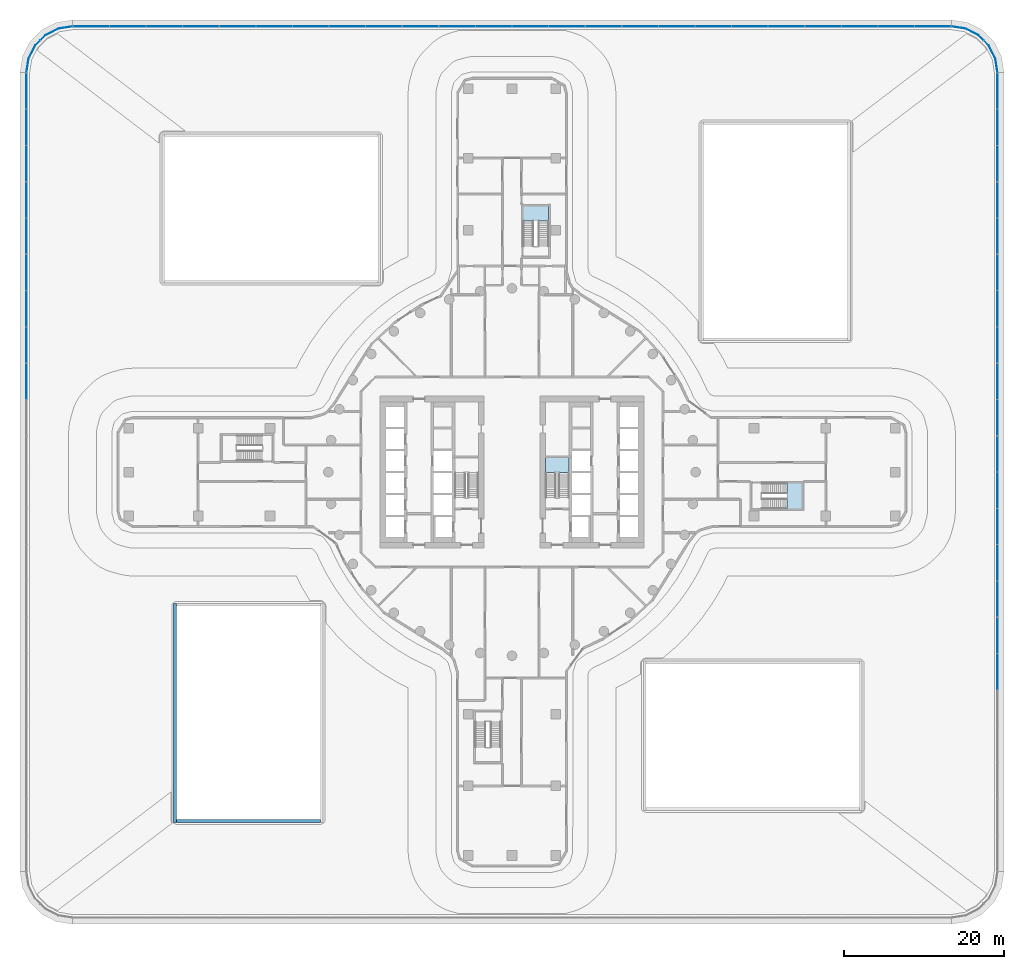
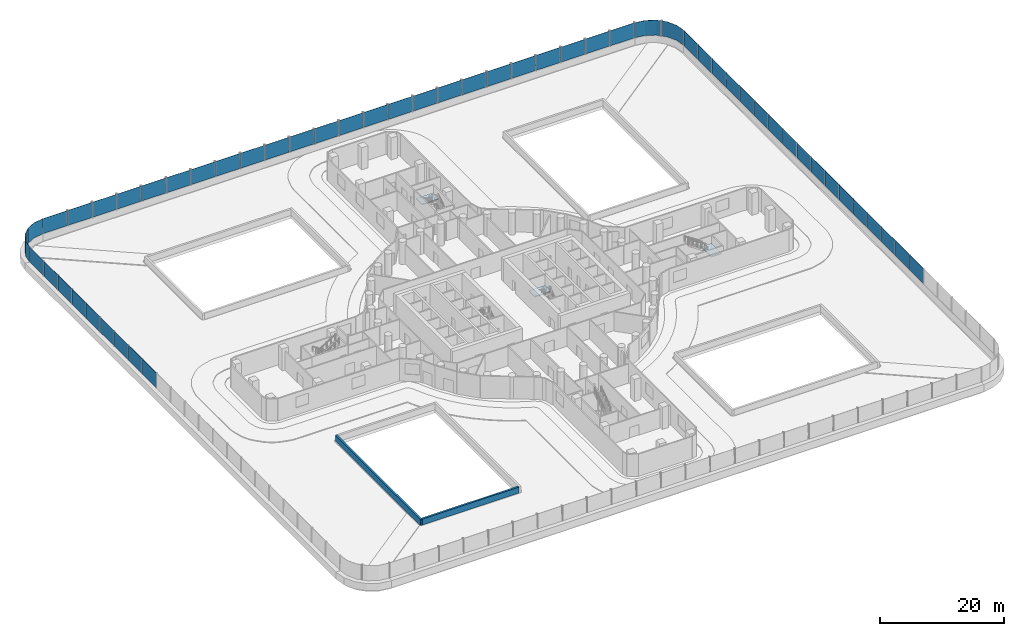
# One storey, part 21 of 37: 54 plates, 3 slabs, 2 walls, 8 elements without a shape of their own.
"""IFC4 building model written with IfcOpenShell, lengths in metres."""

from ifc_helpers import new_model, si_unit, direction, frame, frame_2d, origin, place, context, subcontext, project, spatial, polyline, rectangle, outline, extrude, material, layer, layer_set, type_object, element, aggregate, save


model = new_model("IFC4")

# Units and contexts
model_context = context("Model", 3, precision=1e-05, world=origin(), true_north=direction((0.0, 1.0)))
body_context = subcontext(model_context, "Body", "Model", "MODEL_VIEW")
ifc_project = project(units=[si_unit("LENGTHUNIT", "METRE"), si_unit("AREAUNIT", "SQUARE_METRE"), si_unit("VOLUMEUNIT", "CUBIC_METRE"), si_unit("PLANEANGLEUNIT", "RADIAN"), si_unit("MASSUNIT", "GRAM", prefix="KILO")], contexts=[model_context])

# Site, building, storey
site_placement = place(None, origin())
site = spatial("IfcSite", under=ifc_project, at=site_placement, CompositionType="ELEMENT")
building_placement = place(site_placement, origin())
building = spatial("IfcBuilding", under=site, at=building_placement, Name="Tamarind Cross Interchange Tower", CompositionType="ELEMENT")
storey_placement = place(building_placement, frame((0.0, 0.0, 29.5)))
storey = spatial("IfcBuildingStorey", under=building, at=storey_placement, Name="L05", CompositionType="ELEMENT", Elevation=29.5)

# Stair, slab
ifc_material_1 = material(Name="Exit stair")
stair_type = type_object("IfcStairType", Name="Exit stair", PredefinedType="HALF_TURN_STAIR", material=ifc_material_1)
stair_1_placement = place(storey_placement, origin())
stair_1 = element("IfcStair", 1, at=stair_1_placement, inside=storey, type_object=stair_type, Name="L05 exit stair ST2", PredefinedType="HALF_TURN_STAIR")
ifc_material_2 = material(Name="Concrete C40", Category="concrete")
ifc_layer_1 = layer(ifc_material_2, 0.199951171875)
ifc_layer_set_1 = layer_set([ifc_layer_1], Name="Concrete C40")
slab_type = type_object("IfcSlabType", Name="Stair landing", PredefinedType="LANDING", material=ifc_layer_set_1)
slab_1_placement = place(storey_placement, frame((0.0, 0.0, 2.050048828125)))
slab_1 = element("IfcSlab", 2, at=slab_1_placement, type_object=slab_type, Name="ST2 landing 1", PredefinedType="LANDING", context=body_context, shape_type="SweptSolid", body=[
    extrude(outline(polyline([(7.14990234375, -0.080078125), (7.14990234375, 1.800048828125), (4.199951171875, 1.800048828125), (4.199951171875, -0.080078125), (7.14990234375, -0.080078125)])), origin(), (0.0, 0.0, 1.0), 0.199951171875),
])
aggregate(stair_1, [slab_1])

stair_2_placement = place(storey_placement, origin())
stair_2 = element("IfcStair", 3, at=stair_2_placement, inside=storey, type_object=stair_type, Name="L05 exit stair ST3", PredefinedType="HALF_TURN_STAIR")
slab_2_placement = place(storey_placement, frame((0.0, 0.0, 2.050048828125)))
slab_2 = element("IfcSlab", 4, at=slab_2_placement, type_object=slab_type, Name="ST3 landing 1", PredefinedType="LANDING", context=body_context, shape_type="SweptSolid", body=[
    extrude(outline(polyline([(34.407958984375, -4.60009765625), (36.300048828125, -4.60009765625), (36.300048828125, -1.39990234375), (34.407958984375, -1.39990234375), (34.407958984375, -4.60009765625)])), origin(), (0.0, 0.0, 1.0), 0.199951171875),
])
aggregate(stair_2, [slab_2])

stair_3_placement = place(storey_placement, origin())
stair_3 = element("IfcStair", 5, at=stair_3_placement, inside=storey, type_object=stair_type, Name="L05 exit stair ST4", PredefinedType="HALF_TURN_STAIR")
slab_3_placement = place(storey_placement, frame((0.0, 0.0, 2.050048828125)))
slab_3 = element("IfcSlab", 6, at=slab_3_placement, type_object=slab_type, Name="ST4 landing 1", PredefinedType="LANDING", context=body_context, shape_type="SweptSolid", body=[
    extrude(outline(polyline([(4.60009765625, 31.407958984375), (4.60009765625, 33.300048828125), (1.39990234375, 33.300048828125), (1.39990234375, 31.407958984375), (4.60009765625, 31.407958984375)])), origin(), (0.0, 0.0, 1.0), 0.199951171875),
])
aggregate(stair_3, [slab_3])

# Curtain wall, plates
ifc_material_3 = material(Name="Aluminium 6063-T6", Category="aluminium")
ifc_layer_2 = layer(ifc_material_3, 0.179931640625)
ifc_layer_set_2 = layer_set([ifc_layer_2], Name="Aluminium 6063-T6")
curtain_wall_type = type_object("IfcCurtainWallType", Name="Sky lobby curtain wall, fire-resisting glazing", PredefinedType="NOTDEFINED", material=ifc_layer_set_2)
curtain_wall_1_placement = place(storey_placement, origin())
curtain_wall_1 = element("IfcCurtainWall", 7, at=curtain_wall_1_placement, inside=storey, type_object=curtain_wall_type, Name="CWS-L05-00", PredefinedType="NOTDEFINED")
ifc_material_4 = material(Name="Fire-resisting glass EI 60", Category="glass")
ifc_layer_3 = layer(ifc_material_4, 0.035888671875)
ifc_layer_set_3 = layer_set([ifc_layer_3], Name="Fire-resisting glass EI 60")
plate_type = type_object("IfcPlateType", Name="Vision panel CW4", PredefinedType="CURTAIN_PANEL", material=ifc_layer_set_3)
plate_1_placement = place(storey_placement, frame((0.0, 0.0, 1.39990234375)))
plate_1 = element("IfcPlate", 8, at=plate_1_placement, type_object=plate_type, Name="CWP-L05-00-05", PredefinedType="CURTAIN_PANEL", context=body_context, shape_type="SweptSolid", body=[
    extrude(outline(polyline([(60.781982421875, -27.22412109375), (60.781982421875, -22.760009765625), (60.818115234375, -22.760009765625), (60.818115234375, -27.22412109375), (60.781982421875, -27.22412109375)])), origin(), (0.0, 0.0, 1.0), 2.960205078125),
])
plate_2_placement = place(storey_placement, frame((0.0, 0.0, 1.39990234375)))
plate_2 = element("IfcPlate", 9, at=plate_2_placement, type_object=plate_type, Name="CWP-L05-00-06", PredefinedType="CURTAIN_PANEL", context=body_context, shape_type="SweptSolid", body=[
    extrude(outline(polyline([(60.781982421875, -22.68017578125), (60.781982421875, -18.216064453125), (60.818115234375, -18.216064453125), (60.818115234375, -22.68017578125), (60.781982421875, -22.68017578125)])), origin(), (0.0, 0.0, 1.0), 2.960205078125),
])
plate_3_placement = place(storey_placement, frame((0.0, 0.0, 1.39990234375)))
plate_3 = element("IfcPlate", 10, at=plate_3_placement, type_object=plate_type, Name="CWP-L05-00-07", PredefinedType="CURTAIN_PANEL", context=body_context, shape_type="SweptSolid", body=[
    extrude(outline(polyline([(60.781982421875, -18.135986328125), (60.781982421875, -13.672119140625), (60.818115234375, -13.672119140625), (60.818115234375, -18.135986328125), (60.781982421875, -18.135986328125)])), origin(), (0.0, 0.0, 1.0), 2.960205078125),
])
plate_4_placement = place(storey_placement, frame((0.0, 0.0, 1.39990234375)))
plate_4 = element("IfcPlate", 11, at=plate_4_placement, type_object=plate_type, Name="CWP-L05-00-08", PredefinedType="CURTAIN_PANEL", context=body_context, shape_type="SweptSolid", body=[
    extrude(outline(polyline([(60.781982421875, -13.592041015625), (60.781982421875, -9.1279296875), (60.818115234375, -9.1279296875), (60.818115234375, -13.592041015625), (60.781982421875, -13.592041015625)])), origin(), (0.0, 0.0, 1.0), 2.960205078125),
])
plate_5_placement = place(storey_placement, frame((0.0, 0.0, 1.39990234375)))
plate_5 = element("IfcPlate", 12, at=plate_5_placement, type_object=plate_type, Name="CWP-L05-00-09", PredefinedType="CURTAIN_PANEL", context=body_context, shape_type="SweptSolid", body=[
    extrude(outline(polyline([(60.781982421875, -9.048095703125), (60.781982421875, -4.583984375), (60.818115234375, -4.583984375), (60.818115234375, -9.048095703125), (60.781982421875, -9.048095703125)])), origin(), (0.0, 0.0, 1.0), 2.960205078125),
])
plate_6_placement = place(storey_placement, frame((0.0, 0.0, 1.39990234375)))
plate_6 = element("IfcPlate", 13, at=plate_6_placement, type_object=plate_type, Name="CWP-L05-00-10", PredefinedType="CURTAIN_PANEL", context=body_context, shape_type="SweptSolid", body=[
    extrude(outline(polyline([(60.781982421875, -4.50390625), (60.781982421875, -0.0400390625), (60.818115234375, -0.0400390625), (60.818115234375, -4.50390625), (60.781982421875, -4.50390625)])), origin(), (0.0, 0.0, 1.0), 2.960205078125),
])
plate_7_placement = place(storey_placement, frame((0.0, 0.0, 1.39990234375)))
plate_7 = element("IfcPlate", 14, at=plate_7_placement, type_object=plate_type, Name="CWP-L05-00-11", PredefinedType="CURTAIN_PANEL", context=body_context, shape_type="SweptSolid", body=[
    extrude(outline(polyline([(60.781982421875, 0.0400390625), (60.781982421875, 4.50390625), (60.818115234375, 4.50390625), (60.818115234375, 0.0400390625), (60.781982421875, 0.0400390625)])), origin(), (0.0, 0.0, 1.0), 2.960205078125),
])
plate_8_placement = place(storey_placement, frame((0.0, 0.0, 1.39990234375)))
plate_8 = element("IfcPlate", 15, at=plate_8_placement, type_object=plate_type, Name="CWP-L05-00-12", PredefinedType="CURTAIN_PANEL", context=body_context, shape_type="SweptSolid", body=[
    extrude(outline(polyline([(60.781982421875, 4.583984375), (60.781982421875, 9.048095703125), (60.818115234375, 9.048095703125), (60.818115234375, 4.583984375), (60.781982421875, 4.583984375)])), origin(), (0.0, 0.0, 1.0), 2.960205078125),
])
plate_9_placement = place(storey_placement, frame((0.0, 0.0, 1.39990234375)))
plate_9 = element("IfcPlate", 16, at=plate_9_placement, type_object=plate_type, Name="CWP-L05-00-13", PredefinedType="CURTAIN_PANEL", context=body_context, shape_type="SweptSolid", body=[
    extrude(outline(polyline([(60.781982421875, 9.1279296875), (60.781982421875, 13.592041015625), (60.818115234375, 13.592041015625), (60.818115234375, 9.1279296875), (60.781982421875, 9.1279296875)])), origin(), (0.0, 0.0, 1.0), 2.960205078125),
])
plate_10_placement = place(storey_placement, frame((0.0, 0.0, 1.39990234375)))
plate_10 = element("IfcPlate", 17, at=plate_10_placement, type_object=plate_type, Name="CWP-L05-00-14", PredefinedType="CURTAIN_PANEL", context=body_context, shape_type="SweptSolid", body=[
    extrude(outline(polyline([(60.781982421875, 13.672119140625), (60.781982421875, 18.135986328125), (60.818115234375, 18.135986328125), (60.818115234375, 13.672119140625), (60.781982421875, 13.672119140625)])), origin(), (0.0, 0.0, 1.0), 2.960205078125),
])
plate_11_placement = place(storey_placement, frame((0.0, 0.0, 1.39990234375)))
plate_11 = element("IfcPlate", 18, at=plate_11_placement, type_object=plate_type, Name="CWP-L05-00-15", PredefinedType="CURTAIN_PANEL", context=body_context, shape_type="SweptSolid", body=[
    extrude(outline(polyline([(60.781982421875, 18.216064453125), (60.781982421875, 22.68017578125), (60.818115234375, 22.68017578125), (60.818115234375, 18.216064453125), (60.781982421875, 18.216064453125)])), origin(), (0.0, 0.0, 1.0), 2.960205078125),
])
plate_12_placement = place(storey_placement, frame((0.0, 0.0, 1.39990234375)))
plate_12 = element("IfcPlate", 19, at=plate_12_placement, type_object=plate_type, Name="CWP-L05-00-16", PredefinedType="CURTAIN_PANEL", context=body_context, shape_type="SweptSolid", body=[
    extrude(outline(polyline([(60.781982421875, 22.760009765625), (60.781982421875, 27.22412109375), (60.818115234375, 27.22412109375), (60.818115234375, 22.760009765625), (60.781982421875, 22.760009765625)])), origin(), (0.0, 0.0, 1.0), 2.960205078125),
])
plate_13_placement = place(storey_placement, frame((0.0, 0.0, 1.39990234375)))
plate_13 = element("IfcPlate", 20, at=plate_13_placement, type_object=plate_type, Name="CWP-L05-00-17", PredefinedType="CURTAIN_PANEL", context=body_context, shape_type="SweptSolid", body=[
    extrude(outline(polyline([(60.781982421875, 27.30419921875), (60.781982421875, 31.76806640625), (60.818115234375, 31.76806640625), (60.818115234375, 27.30419921875), (60.781982421875, 27.30419921875)])), origin(), (0.0, 0.0, 1.0), 2.960205078125),
])
plate_14_placement = place(storey_placement, frame((0.0, 0.0, 1.39990234375)))
plate_14 = element("IfcPlate", 21, at=plate_14_placement, type_object=plate_type, Name="CWP-L05-00-18", PredefinedType="CURTAIN_PANEL", context=body_context, shape_type="SweptSolid", body=[
    extrude(outline(polyline([(60.781982421875, 31.84814453125), (60.781982421875, 36.312255859375), (60.818115234375, 36.312255859375), (60.818115234375, 31.84814453125), (60.781982421875, 31.84814453125)])), origin(), (0.0, 0.0, 1.0), 2.960205078125),
])
plate_15_placement = place(storey_placement, frame((0.0, 0.0, 1.39990234375)))
plate_15 = element("IfcPlate", 22, at=plate_15_placement, type_object=plate_type, Name="CWP-L05-00-19", PredefinedType="CURTAIN_PANEL", context=body_context, shape_type="SweptSolid", body=[
    extrude(outline(polyline([(60.781982421875, 36.39208984375), (60.781982421875, 40.856201171875), (60.818115234375, 40.856201171875), (60.818115234375, 36.39208984375), (60.781982421875, 36.39208984375)])), origin(), (0.0, 0.0, 1.0), 2.960205078125),
])
plate_16_placement = place(storey_placement, frame((0.0, 0.0, 1.39990234375)))
plate_16 = element("IfcPlate", 23, at=plate_16_placement, type_object=plate_type, Name="CWP-L05-00-20", PredefinedType="CURTAIN_PANEL", context=body_context, shape_type="SweptSolid", body=[
    extrude(outline(polyline([(60.781982421875, 40.936279296875), (60.781982421875, 45.400146484375), (60.818115234375, 45.400146484375), (60.818115234375, 40.936279296875), (60.781982421875, 40.936279296875)])), origin(), (0.0, 0.0, 1.0), 2.960205078125),
])
plate_17_placement = place(storey_placement, frame((0.0, 0.0, 1.39990234375)))
plate_17 = element("IfcPlate", 24, at=plate_17_placement, type_object=plate_type, Name="CWP-L05-00-21", PredefinedType="CURTAIN_PANEL", context=body_context, shape_type="SweptSolid", body=[
    extrude(outline(polyline([(60.781982421875, 45.480224609375), (60.781982421875, 49.9443359375), (60.818115234375, 49.9443359375), (60.818115234375, 45.480224609375), (60.781982421875, 45.480224609375)])), origin(), (0.0, 0.0, 1.0), 2.960205078125),
])
aggregate(curtain_wall_1, [plate_1, plate_2, plate_3, plate_4, plate_5, plate_6, plate_7, plate_8, plate_9, plate_10, plate_11, plate_12, plate_13, plate_14, plate_15, plate_16, plate_17])

curtain_wall_2_placement = place(storey_placement, origin())
curtain_wall_2 = element("IfcCurtainWall", 25, at=curtain_wall_2_placement, inside=storey, type_object=curtain_wall_type, Name="CWS-L05-01", PredefinedType="NOTDEFINED")
plate_18_placement = place(storey_placement, frame((0.0, 0.0, 1.39990234375)))
plate_18 = element("IfcPlate", 26, at=plate_18_placement, type_object=plate_type, Name="CWP-L05-01-00", PredefinedType="CURTAIN_PANEL", context=body_context, shape_type="SweptSolid", body=[
    extrude(outline(polyline([(60.77587890625, 50.02099609375), (60.496337890625, 51.785888671875), (59.675537109375, 53.39697265625), (59.064453125, 54.008056640625), (59.090087890625, 54.033447265625), (59.705078125, 53.41845703125), (60.531005859375, 51.797119140625), (60.8115234375, 50.026611328125), (60.77587890625, 50.02099609375)])), origin(), (0.0, 0.0, 1.0), 2.960205078125),
])
plate_19_placement = place(storey_placement, frame((0.0, 0.0, 1.39990234375)))
plate_19 = element("IfcPlate", 27, at=plate_19_placement, type_object=plate_type, Name="CWP-L05-01-01", PredefinedType="CURTAIN_PANEL", context=body_context, shape_type="SweptSolid", body=[
    extrude(outline(polyline([(59.008056640625, 54.064453125), (58.39697265625, 54.675537109375), (56.785888671875, 55.496337890625), (55.02099609375, 55.77587890625), (55.026611328125, 55.8115234375), (56.797119140625, 55.531005859375), (58.41845703125, 54.705078125), (59.033447265625, 54.090087890625), (59.008056640625, 54.064453125)])), origin(), (0.0, 0.0, 1.0), 2.960205078125),
])
aggregate(curtain_wall_2, [plate_18, plate_19])

curtain_wall_3_placement = place(storey_placement, origin())
curtain_wall_3 = element("IfcCurtainWall", 28, at=curtain_wall_3_placement, inside=storey, type_object=curtain_wall_type, Name="CWS-L05-02", PredefinedType="NOTDEFINED")
plate_20_placement = place(storey_placement, frame((0.0, 0.0, 1.39990234375)))
plate_20 = element("IfcPlate", 29, at=plate_20_placement, type_object=plate_type, Name="CWP-L05-02-00", PredefinedType="CURTAIN_PANEL", context=body_context, shape_type="SweptSolid", body=[
    extrude(outline(polyline([(54.9443359375, 55.781982421875), (50.442138671875, 55.781982421875), (50.442138671875, 55.818115234375), (54.9443359375, 55.818115234375), (54.9443359375, 55.781982421875)])), origin(), (0.0, 0.0, 1.0), 2.960205078125),
])
plate_21_placement = place(storey_placement, frame((0.0, 0.0, 1.39990234375)))
plate_21 = element("IfcPlate", 30, at=plate_21_placement, type_object=plate_type, Name="CWP-L05-02-01", PredefinedType="CURTAIN_PANEL", context=body_context, shape_type="SweptSolid", body=[
    extrude(outline(polyline([(50.3623046875, 55.781982421875), (45.860107421875, 55.781982421875), (45.860107421875, 55.818115234375), (50.3623046875, 55.818115234375), (50.3623046875, 55.781982421875)])), origin(), (0.0, 0.0, 1.0), 2.960205078125),
])
plate_22_placement = place(storey_placement, frame((0.0, 0.0, 1.39990234375)))
plate_22 = element("IfcPlate", 31, at=plate_22_placement, type_object=plate_type, Name="CWP-L05-02-02", PredefinedType="CURTAIN_PANEL", context=body_context, shape_type="SweptSolid", body=[
    extrude(outline(polyline([(45.7802734375, 55.781982421875), (41.278076171875, 55.781982421875), (41.278076171875, 55.818115234375), (45.7802734375, 55.818115234375), (45.7802734375, 55.781982421875)])), origin(), (0.0, 0.0, 1.0), 2.960205078125),
])
plate_23_placement = place(storey_placement, frame((0.0, 0.0, 1.39990234375)))
plate_23 = element("IfcPlate", 32, at=plate_23_placement, type_object=plate_type, Name="CWP-L05-02-03", PredefinedType="CURTAIN_PANEL", context=body_context, shape_type="SweptSolid", body=[
    extrude(outline(polyline([(41.1982421875, 55.781982421875), (36.6962890625, 55.781982421875), (36.6962890625, 55.818115234375), (41.1982421875, 55.818115234375), (41.1982421875, 55.781982421875)])), origin(), (0.0, 0.0, 1.0), 2.960205078125),
])
plate_24_placement = place(storey_placement, frame((0.0, 0.0, 1.39990234375)))
plate_24 = element("IfcPlate", 33, at=plate_24_placement, type_object=plate_type, Name="CWP-L05-02-04", PredefinedType="CURTAIN_PANEL", context=body_context, shape_type="SweptSolid", body=[
    extrude(outline(polyline([(36.6162109375, 55.781982421875), (32.1142578125, 55.781982421875), (32.1142578125, 55.818115234375), (36.6162109375, 55.818115234375), (36.6162109375, 55.781982421875)])), origin(), (0.0, 0.0, 1.0), 2.960205078125),
])
plate_25_placement = place(storey_placement, frame((0.0, 0.0, 1.39990234375)))
plate_25 = element("IfcPlate", 34, at=plate_25_placement, type_object=plate_type, Name="CWP-L05-02-05", PredefinedType="CURTAIN_PANEL", context=body_context, shape_type="SweptSolid", body=[
    extrude(outline(polyline([(32.0341796875, 55.781982421875), (27.5322265625, 55.781982421875), (27.5322265625, 55.818115234375), (32.0341796875, 55.818115234375), (32.0341796875, 55.781982421875)])), origin(), (0.0, 0.0, 1.0), 2.960205078125),
])
plate_26_placement = place(storey_placement, frame((0.0, 0.0, 1.39990234375)))
plate_26 = element("IfcPlate", 35, at=plate_26_placement, type_object=plate_type, Name="CWP-L05-02-06", PredefinedType="CURTAIN_PANEL", context=body_context, shape_type="SweptSolid", body=[
    extrude(outline(polyline([(27.4521484375, 55.781982421875), (22.9501953125, 55.781982421875), (22.9501953125, 55.818115234375), (27.4521484375, 55.818115234375), (27.4521484375, 55.781982421875)])), origin(), (0.0, 0.0, 1.0), 2.960205078125),
])
plate_27_placement = place(storey_placement, frame((0.0, 0.0, 1.39990234375)))
plate_27 = element("IfcPlate", 36, at=plate_27_placement, type_object=plate_type, Name="CWP-L05-02-07", PredefinedType="CURTAIN_PANEL", context=body_context, shape_type="SweptSolid", body=[
    extrude(outline(polyline([(22.8701171875, 55.781982421875), (18.3681640625, 55.781982421875), (18.3681640625, 55.818115234375), (22.8701171875, 55.818115234375), (22.8701171875, 55.781982421875)])), origin(), (0.0, 0.0, 1.0), 2.960205078125),
])
plate_28_placement = place(storey_placement, frame((0.0, 0.0, 1.39990234375)))
plate_28 = element("IfcPlate", 37, at=plate_28_placement, type_object=plate_type, Name="CWP-L05-02-08", PredefinedType="CURTAIN_PANEL", context=body_context, shape_type="SweptSolid", body=[
    extrude(outline(polyline([(18.2880859375, 55.781982421875), (13.7861328125, 55.781982421875), (13.7861328125, 55.818115234375), (18.2880859375, 55.818115234375), (18.2880859375, 55.781982421875)])), origin(), (0.0, 0.0, 1.0), 2.960205078125),
])
plate_29_placement = place(storey_placement, frame((0.0, 0.0, 1.39990234375)))
plate_29 = element("IfcPlate", 38, at=plate_29_placement, type_object=plate_type, Name="CWP-L05-02-09", PredefinedType="CURTAIN_PANEL", context=body_context, shape_type="SweptSolid", body=[
    extrude(outline(polyline([(13.7060546875, 55.781982421875), (9.2041015625, 55.781982421875), (9.2041015625, 55.818115234375), (13.7060546875, 55.818115234375), (13.7060546875, 55.781982421875)])), origin(), (0.0, 0.0, 1.0), 2.960205078125),
])
plate_30_placement = place(storey_placement, frame((0.0, 0.0, 1.39990234375)))
plate_30 = element("IfcPlate", 39, at=plate_30_placement, type_object=plate_type, Name="CWP-L05-02-10", PredefinedType="CURTAIN_PANEL", context=body_context, shape_type="SweptSolid", body=[
    extrude(outline(polyline([(9.1240234375, 55.781982421875), (4.6220703125, 55.781982421875), (4.6220703125, 55.818115234375), (9.1240234375, 55.818115234375), (9.1240234375, 55.781982421875)])), origin(), (0.0, 0.0, 1.0), 2.960205078125),
])
plate_31_placement = place(storey_placement, frame((0.0, 0.0, 1.39990234375)))
plate_31 = element("IfcPlate", 40, at=plate_31_placement, type_object=plate_type, Name="CWP-L05-02-11", PredefinedType="CURTAIN_PANEL", context=body_context, shape_type="SweptSolid", body=[
    extrude(outline(polyline([(4.5419921875, 55.781982421875), (0.0400390625, 55.781982421875), (0.0400390625, 55.818115234375), (4.5419921875, 55.818115234375), (4.5419921875, 55.781982421875)])), origin(), (0.0, 0.0, 1.0), 2.960205078125),
])
plate_32_placement = place(storey_placement, frame((0.0, 0.0, 1.39990234375)))
plate_32 = element("IfcPlate", 41, at=plate_32_placement, type_object=plate_type, Name="CWP-L05-02-12", PredefinedType="CURTAIN_PANEL", context=body_context, shape_type="SweptSolid", body=[
    extrude(outline(polyline([(-0.0400390625, 55.781982421875), (-4.5419921875, 55.781982421875), (-4.5419921875, 55.818115234375), (-0.0400390625, 55.818115234375), (-0.0400390625, 55.781982421875)])), origin(), (0.0, 0.0, 1.0), 2.960205078125),
])
plate_33_placement = place(storey_placement, frame((0.0, 0.0, 1.39990234375)))
plate_33 = element("IfcPlate", 42, at=plate_33_placement, type_object=plate_type, Name="CWP-L05-02-13", PredefinedType="CURTAIN_PANEL", context=body_context, shape_type="SweptSolid", body=[
    extrude(outline(polyline([(-4.6220703125, 55.781982421875), (-9.1240234375, 55.781982421875), (-9.1240234375, 55.818115234375), (-4.6220703125, 55.818115234375), (-4.6220703125, 55.781982421875)])), origin(), (0.0, 0.0, 1.0), 2.960205078125),
])
plate_34_placement = place(storey_placement, frame((0.0, 0.0, 1.39990234375)))
plate_34 = element("IfcPlate", 43, at=plate_34_placement, type_object=plate_type, Name="CWP-L05-02-14", PredefinedType="CURTAIN_PANEL", context=body_context, shape_type="SweptSolid", body=[
    extrude(outline(polyline([(-9.2041015625, 55.781982421875), (-13.7060546875, 55.781982421875), (-13.7060546875, 55.818115234375), (-9.2041015625, 55.818115234375), (-9.2041015625, 55.781982421875)])), origin(), (0.0, 0.0, 1.0), 2.960205078125),
])
plate_35_placement = place(storey_placement, frame((0.0, 0.0, 1.39990234375)))
plate_35 = element("IfcPlate", 44, at=plate_35_placement, type_object=plate_type, Name="CWP-L05-02-15", PredefinedType="CURTAIN_PANEL", context=body_context, shape_type="SweptSolid", body=[
    extrude(outline(polyline([(-13.7861328125, 55.781982421875), (-18.2880859375, 55.781982421875), (-18.2880859375, 55.818115234375), (-13.7861328125, 55.818115234375), (-13.7861328125, 55.781982421875)])), origin(), (0.0, 0.0, 1.0), 2.960205078125),
])
plate_36_placement = place(storey_placement, frame((0.0, 0.0, 1.39990234375)))
plate_36 = element("IfcPlate", 45, at=plate_36_placement, type_object=plate_type, Name="CWP-L05-02-16", PredefinedType="CURTAIN_PANEL", context=body_context, shape_type="SweptSolid", body=[
    extrude(outline(polyline([(-18.3681640625, 55.781982421875), (-22.8701171875, 55.781982421875), (-22.8701171875, 55.818115234375), (-18.3681640625, 55.818115234375), (-18.3681640625, 55.781982421875)])), origin(), (0.0, 0.0, 1.0), 2.960205078125),
])
plate_37_placement = place(storey_placement, frame((0.0, 0.0, 1.39990234375)))
plate_37 = element("IfcPlate", 46, at=plate_37_placement, type_object=plate_type, Name="CWP-L05-02-17", PredefinedType="CURTAIN_PANEL", context=body_context, shape_type="SweptSolid", body=[
    extrude(outline(polyline([(-22.9501953125, 55.781982421875), (-27.4521484375, 55.781982421875), (-27.4521484375, 55.818115234375), (-22.9501953125, 55.818115234375), (-22.9501953125, 55.781982421875)])), origin(), (0.0, 0.0, 1.0), 2.960205078125),
])
plate_38_placement = place(storey_placement, frame((0.0, 0.0, 1.39990234375)))
plate_38 = element("IfcPlate", 47, at=plate_38_placement, type_object=plate_type, Name="CWP-L05-02-18", PredefinedType="CURTAIN_PANEL", context=body_context, shape_type="SweptSolid", body=[
    extrude(outline(polyline([(-27.5322265625, 55.781982421875), (-32.0341796875, 55.781982421875), (-32.0341796875, 55.818115234375), (-27.5322265625, 55.818115234375), (-27.5322265625, 55.781982421875)])), origin(), (0.0, 0.0, 1.0), 2.960205078125),
])
plate_39_placement = place(storey_placement, frame((0.0, 0.0, 1.39990234375)))
plate_39 = element("IfcPlate", 48, at=plate_39_placement, type_object=plate_type, Name="CWP-L05-02-19", PredefinedType="CURTAIN_PANEL", context=body_context, shape_type="SweptSolid", body=[
    extrude(outline(polyline([(-32.1142578125, 55.781982421875), (-36.6162109375, 55.781982421875), (-36.6162109375, 55.818115234375), (-32.1142578125, 55.818115234375), (-32.1142578125, 55.781982421875)])), origin(), (0.0, 0.0, 1.0), 2.960205078125),
])
plate_40_placement = place(storey_placement, frame((0.0, 0.0, 1.39990234375)))
plate_40 = element("IfcPlate", 49, at=plate_40_placement, type_object=plate_type, Name="CWP-L05-02-20", PredefinedType="CURTAIN_PANEL", context=body_context, shape_type="SweptSolid", body=[
    extrude(outline(polyline([(-36.6962890625, 55.781982421875), (-41.1982421875, 55.781982421875), (-41.1982421875, 55.818115234375), (-36.6962890625, 55.818115234375), (-36.6962890625, 55.781982421875)])), origin(), (0.0, 0.0, 1.0), 2.960205078125),
])
plate_41_placement = place(storey_placement, frame((0.0, 0.0, 1.39990234375)))
plate_41 = element("IfcPlate", 50, at=plate_41_placement, type_object=plate_type, Name="CWP-L05-02-21", PredefinedType="CURTAIN_PANEL", context=body_context, shape_type="SweptSolid", body=[
    extrude(outline(polyline([(-41.278076171875, 55.781982421875), (-45.7802734375, 55.781982421875), (-45.7802734375, 55.818115234375), (-41.278076171875, 55.818115234375), (-41.278076171875, 55.781982421875)])), origin(), (0.0, 0.0, 1.0), 2.960205078125),
])
plate_42_placement = place(storey_placement, frame((0.0, 0.0, 1.39990234375)))
plate_42 = element("IfcPlate", 51, at=plate_42_placement, type_object=plate_type, Name="CWP-L05-02-22", PredefinedType="CURTAIN_PANEL", context=body_context, shape_type="SweptSolid", body=[
    extrude(outline(polyline([(-45.860107421875, 55.781982421875), (-50.3623046875, 55.781982421875), (-50.3623046875, 55.818115234375), (-45.860107421875, 55.818115234375), (-45.860107421875, 55.781982421875)])), origin(), (0.0, 0.0, 1.0), 2.960205078125),
])
plate_43_placement = place(storey_placement, frame((0.0, 0.0, 1.39990234375)))
plate_43 = element("IfcPlate", 52, at=plate_43_placement, type_object=plate_type, Name="CWP-L05-02-23", PredefinedType="CURTAIN_PANEL", context=body_context, shape_type="SweptSolid", body=[
    extrude(outline(polyline([(-50.442138671875, 55.781982421875), (-54.9443359375, 55.781982421875), (-54.9443359375, 55.818115234375), (-50.442138671875, 55.818115234375), (-50.442138671875, 55.781982421875)])), origin(), (0.0, 0.0, 1.0), 2.960205078125),
])
aggregate(curtain_wall_3, [plate_20, plate_21, plate_22, plate_23, plate_24, plate_25, plate_26, plate_27, plate_28, plate_29, plate_30, plate_31, plate_32, plate_33, plate_34, plate_35, plate_36, plate_37, plate_38, plate_39, plate_40, plate_41, plate_42, plate_43])

curtain_wall_4_placement = place(storey_placement, origin())
curtain_wall_4 = element("IfcCurtainWall", 53, at=curtain_wall_4_placement, inside=storey, type_object=curtain_wall_type, Name="CWS-L05-03", PredefinedType="NOTDEFINED")
plate_44_placement = place(storey_placement, frame((0.0, 0.0, 1.39990234375)))
plate_44 = element("IfcPlate", 54, at=plate_44_placement, type_object=plate_type, Name="CWP-L05-03-00", PredefinedType="CURTAIN_PANEL", context=body_context, shape_type="SweptSolid", body=[
    extrude(outline(polyline([(-55.02099609375, 55.77587890625), (-56.785888671875, 55.496337890625), (-58.39697265625, 54.675537109375), (-59.008056640625, 54.064453125), (-59.033447265625, 54.090087890625), (-58.41845703125, 54.705078125), (-56.797119140625, 55.531005859375), (-55.026611328125, 55.8115234375), (-55.02099609375, 55.77587890625)])), origin(), (0.0, 0.0, 1.0), 2.960205078125),
])
plate_45_placement = place(storey_placement, frame((0.0, 0.0, 1.39990234375)))
plate_45 = element("IfcPlate", 55, at=plate_45_placement, type_object=plate_type, Name="CWP-L05-03-01", PredefinedType="CURTAIN_PANEL", context=body_context, shape_type="SweptSolid", body=[
    extrude(outline(polyline([(-59.064453125, 54.008056640625), (-59.675537109375, 53.39697265625), (-60.496337890625, 51.785888671875), (-60.77587890625, 50.02099609375), (-60.8115234375, 50.026611328125), (-60.531005859375, 51.797119140625), (-59.705078125, 53.41845703125), (-59.090087890625, 54.033447265625), (-59.064453125, 54.008056640625)])), origin(), (0.0, 0.0, 1.0), 2.960205078125),
])
aggregate(curtain_wall_4, [plate_44, plate_45])

curtain_wall_5_placement = place(storey_placement, origin())
curtain_wall_5 = element("IfcCurtainWall", 56, at=curtain_wall_5_placement, inside=storey, type_object=curtain_wall_type, Name="CWS-L05-04", PredefinedType="NOTDEFINED")
plate_46_placement = place(storey_placement, frame((0.0, 0.0, 1.39990234375)))
plate_46 = element("IfcPlate", 57, at=plate_46_placement, type_object=plate_type, Name="CWP-L05-04-00", PredefinedType="CURTAIN_PANEL", context=body_context, shape_type="SweptSolid", body=[
    extrude(outline(polyline([(-60.781982421875, 49.9443359375), (-60.781982421875, 45.480224609375), (-60.818115234375, 45.480224609375), (-60.818115234375, 49.9443359375), (-60.781982421875, 49.9443359375)])), origin(), (0.0, 0.0, 1.0), 2.960205078125),
])
plate_47_placement = place(storey_placement, frame((0.0, 0.0, 1.39990234375)))
plate_47 = element("IfcPlate", 58, at=plate_47_placement, type_object=plate_type, Name="CWP-L05-04-01", PredefinedType="CURTAIN_PANEL", context=body_context, shape_type="SweptSolid", body=[
    extrude(outline(polyline([(-60.781982421875, 45.400146484375), (-60.781982421875, 40.936279296875), (-60.818115234375, 40.936279296875), (-60.818115234375, 45.400146484375), (-60.781982421875, 45.400146484375)])), origin(), (0.0, 0.0, 1.0), 2.960205078125),
])
plate_48_placement = place(storey_placement, frame((0.0, 0.0, 1.39990234375)))
plate_48 = element("IfcPlate", 59, at=plate_48_placement, type_object=plate_type, Name="CWP-L05-04-02", PredefinedType="CURTAIN_PANEL", context=body_context, shape_type="SweptSolid", body=[
    extrude(outline(polyline([(-60.781982421875, 40.856201171875), (-60.781982421875, 36.39208984375), (-60.818115234375, 36.39208984375), (-60.818115234375, 40.856201171875), (-60.781982421875, 40.856201171875)])), origin(), (0.0, 0.0, 1.0), 2.960205078125),
])
plate_49_placement = place(storey_placement, frame((0.0, 0.0, 1.39990234375)))
plate_49 = element("IfcPlate", 60, at=plate_49_placement, type_object=plate_type, Name="CWP-L05-04-03", PredefinedType="CURTAIN_PANEL", context=body_context, shape_type="SweptSolid", body=[
    extrude(outline(polyline([(-60.781982421875, 36.312255859375), (-60.781982421875, 31.84814453125), (-60.818115234375, 31.84814453125), (-60.818115234375, 36.312255859375), (-60.781982421875, 36.312255859375)])), origin(), (0.0, 0.0, 1.0), 2.960205078125),
])
plate_50_placement = place(storey_placement, frame((0.0, 0.0, 1.39990234375)))
plate_50 = element("IfcPlate", 61, at=plate_50_placement, type_object=plate_type, Name="CWP-L05-04-04", PredefinedType="CURTAIN_PANEL", context=body_context, shape_type="SweptSolid", body=[
    extrude(outline(polyline([(-60.781982421875, 31.76806640625), (-60.781982421875, 27.30419921875), (-60.818115234375, 27.30419921875), (-60.818115234375, 31.76806640625), (-60.781982421875, 31.76806640625)])), origin(), (0.0, 0.0, 1.0), 2.960205078125),
])
plate_51_placement = place(storey_placement, frame((0.0, 0.0, 1.39990234375)))
plate_51 = element("IfcPlate", 62, at=plate_51_placement, type_object=plate_type, Name="CWP-L05-04-05", PredefinedType="CURTAIN_PANEL", context=body_context, shape_type="SweptSolid", body=[
    extrude(outline(polyline([(-60.781982421875, 27.22412109375), (-60.781982421875, 22.760009765625), (-60.818115234375, 22.760009765625), (-60.818115234375, 27.22412109375), (-60.781982421875, 27.22412109375)])), origin(), (0.0, 0.0, 1.0), 2.960205078125),
])
plate_52_placement = place(storey_placement, frame((0.0, 0.0, 1.39990234375)))
plate_52 = element("IfcPlate", 63, at=plate_52_placement, type_object=plate_type, Name="CWP-L05-04-06", PredefinedType="CURTAIN_PANEL", context=body_context, shape_type="SweptSolid", body=[
    extrude(outline(polyline([(-60.781982421875, 22.68017578125), (-60.781982421875, 18.216064453125), (-60.818115234375, 18.216064453125), (-60.818115234375, 22.68017578125), (-60.781982421875, 22.68017578125)])), origin(), (0.0, 0.0, 1.0), 2.960205078125),
])
plate_53_placement = place(storey_placement, frame((0.0, 0.0, 1.39990234375)))
plate_53 = element("IfcPlate", 64, at=plate_53_placement, type_object=plate_type, Name="CWP-L05-04-07", PredefinedType="CURTAIN_PANEL", context=body_context, shape_type="SweptSolid", body=[
    extrude(outline(polyline([(-60.781982421875, 18.135986328125), (-60.781982421875, 13.672119140625), (-60.818115234375, 13.672119140625), (-60.818115234375, 18.135986328125), (-60.781982421875, 18.135986328125)])), origin(), (0.0, 0.0, 1.0), 2.960205078125),
])
plate_54_placement = place(storey_placement, frame((0.0, 0.0, 1.39990234375)))
plate_54 = element("IfcPlate", 65, at=plate_54_placement, type_object=plate_type, Name="CWP-L05-04-08", PredefinedType="CURTAIN_PANEL", context=body_context, shape_type="SweptSolid", body=[
    extrude(outline(polyline([(-60.781982421875, 13.592041015625), (-60.781982421875, 9.1279296875), (-60.818115234375, 9.1279296875), (-60.818115234375, 13.592041015625), (-60.781982421875, 13.592041015625)])), origin(), (0.0, 0.0, 1.0), 2.960205078125),
])
aggregate(curtain_wall_5, [plate_46, plate_47, plate_48, plate_49, plate_50, plate_51, plate_52, plate_53, plate_54])

# Walls
ifc_material_5 = material(Name="Precast concrete C40", Category="concrete")
ifc_layer_4 = layer(ifc_material_5, 0.35009765625)
ifc_layer_set_4 = layer_set([ifc_layer_4], Name="Precast concrete C40")
wall_type = type_object("IfcWallType", Name="Podium facade wall", PredefinedType="SOLIDWALL", material=ifc_layer_set_4)
wall_1_placement = place(storey_placement, frame((-42.0, -43.675048828125, 0.0), z_axis=(0.0, 0.0, 1.0), x_axis=(1.0, 0.0, 0.0)))
element("IfcWall", 66, at=wall_1_placement, inside=storey, type_object=wall_type, Name="CTW-L05-SWS00", PredefinedType="SOLIDWALL", context=body_context, shape_type="SweptSolid", body=[
    extrude(rectangle(XDim=18.0, YDim=0.35009765625, at=frame_2d((9.0, 0.0))), origin(), (0.0, 0.0, 1.0), 1.199951171875),
])
wall_2_placement = place(storey_placement, frame((-42.175048828125, -43.85009765625, 0.0), z_axis=(0.0, 0.0, 1.0), x_axis=(0.0, 1.0, 0.0)))
element("IfcWall", 67, at=wall_2_placement, inside=storey, type_object=wall_type, Name="CTW-L05-SWW00", PredefinedType="SOLIDWALL", context=body_context, shape_type="SweptSolid", body=[
    extrude(rectangle(XDim=27.400146484375, YDim=0.35009765625, at=frame_2d((13.7001953125, 0.0))), origin(), (0.0, 0.0, 1.0), 1.199951171875),
])

save(model, "model.ifc")
